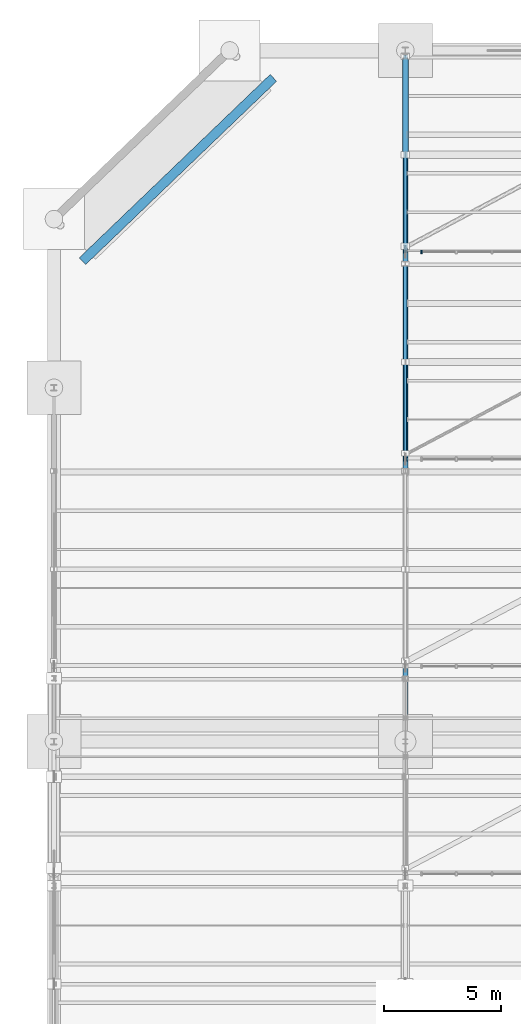
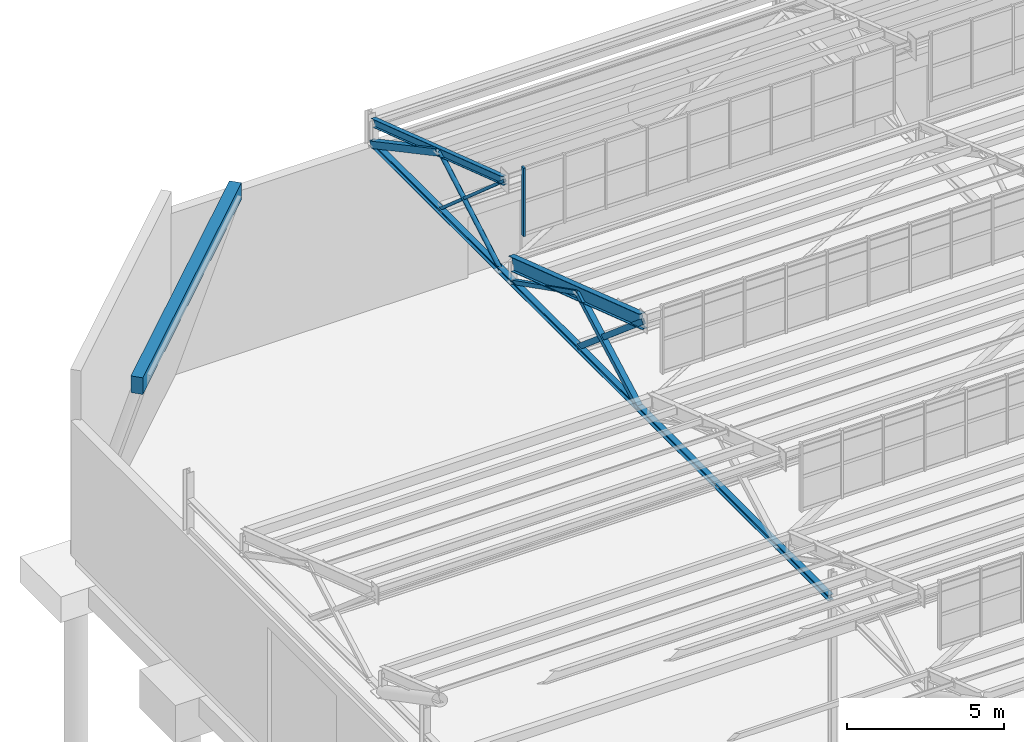
# One storey, part 128 of 285: 7 members, 4 beams, 1 element without a shape of its own.
"""IFC4 building model written with IfcOpenShell, lengths in metres."""

from ifc_helpers import new_model, si_unit, direction, frame, origin, origin_2d, place, context, subcontext, project, spatial, rectangle, hollow_rectangle, hollow_circle, i_section, extrude, material, material_profile, profile_set, type_object, element, aggregate, save


model = new_model("IFC4")

# Units and contexts
model_context = context("Model", 3, precision=1e-05, world=origin(), true_north=direction((0.0, 1.0)))
body_context = subcontext(model_context, "Body", "Model", "MODEL_VIEW")
ifc_project = project(units=[si_unit("LENGTHUNIT", "METRE"), si_unit("AREAUNIT", "SQUARE_METRE"), si_unit("VOLUMEUNIT", "CUBIC_METRE"), si_unit("PLANEANGLEUNIT", "RADIAN"), si_unit("MASSUNIT", "GRAM", prefix="KILO")], contexts=[model_context])

# Site, building, storey
site_placement = place(None, origin())
site = spatial("IfcSite", under=ifc_project, at=site_placement, CompositionType="ELEMENT")
building_placement = place(site_placement, origin())
building = spatial("IfcBuilding", under=site, at=building_placement, Name="Solanera Park Tramway Depot", CompositionType="ELEMENT")
storey_placement = place(building_placement, origin())
storey = spatial("IfcBuildingStorey", under=building, at=storey_placement, Name="L00", CompositionType="ELEMENT", Elevation=0.0)

# Curtain wall, member
ifc_material_1 = material(Name="Bronze-anodised thermally broken aluminium curtain wall", Category="aluminium")
curtain_wall_type = type_object("IfcCurtainWallType", Name="Sawtooth Clerestory Monitor Curtain Wall", PredefinedType="NOTDEFINED", material=ifc_material_1)
curtain_wall_placement = place(storey_placement, origin())
curtain_wall = element("IfcCurtainWall", 1, at=curtain_wall_placement, inside=storey, type_object=curtain_wall_type, Name="L00 Sawtooth Clerestory Monitor Curtain Wall #066", PredefinedType="NOTDEFINED")
ifc_material_2 = material(Name="Bronze-anodised structural aluminium 6063-T6", Category="aluminium")
ifc_material_profile_1 = material_profile(ifc_material_2, rectangle(XDim=0.06494140625, YDim=0.14990234375, at=origin_2d()), Name="Curtain Wall Mullion 65x150")
ifc_profile_set_1 = profile_set([ifc_material_profile_1], Name="Bronze-anodised structural aluminium 6063-T6")
member_type_1 = type_object("IfcMemberType", Name="Curtain Wall Mullion 65x150", PredefinedType="MULLION", material=ifc_profile_set_1)
member_1_placement = place(storey_placement, frame((15.6826171875, 135.39990234375, 7.75), z_axis=(0.0, 0.0, 1.0), x_axis=(1.0, 0.0, 0.0)))
member_1 = element("IfcMember", 2, at=member_1_placement, type_object=member_type_1, Name="CW-L00-066 Mullion 1", PredefinedType="MULLION", context=body_context, shape_type="SweptSolid", body=[
    extrude(rectangle(XDim=0.06494140625, YDim=0.14990234375, at=origin_2d()), origin(), (0.0, 0.0, 1.0), 2.6611328125),
])
aggregate(curtain_wall, [member_1])

# Beam
ifc_material_3 = material(Name="Concrete N40 (C40/50)", Category="concrete")
ifc_material_profile_2 = material_profile(ifc_material_3, rectangle(XDim=0.39990234375, YDim=0.64990234375, at=origin_2d()), Name="SPB 400x650")
ifc_profile_set_2 = profile_set([ifc_material_profile_2], Name="Concrete N40 (C40/50)")
beam_type_1 = type_object("IfcBeamType", Name="Perimeter Spandrel Beam SPB 400x650", PredefinedType="SPANDREL", material=ifc_profile_set_2)
beam_1_placement = place(storey_placement, frame((9.36669921875, 142.82958984375, 7.219970703125), z_axis=(-0.721395958426, -0.692522830791, 0.0), x_axis=(0.692522830791, -0.721395958426, 0.0)))
element("IfcBeam", 3, at=beam_1_placement, inside=storey, type_object=beam_type_1, Name="L00 V1 Carved Corner Eave Spandrel NW", PredefinedType="SPANDREL", context=body_context, shape_type="SweptSolid", body=[
    extrude(rectangle(XDim=0.39990234375, YDim=0.64990234375, at=origin_2d()), origin(), (0.0, 0.0, 1.0), 11.296630859375),
])

# Members
ifc_material_4 = material(Name="Steel AS/NZS 1163 Grade C350L0", Category="steel")
ifc_material_profile_3 = material_profile(ifc_material_4, hollow_circle(Radius=0.084228515625, WallThickness=0.00634765625, at=origin_2d()), Name="168.3x6.4 CHS")
ifc_profile_set_3 = profile_set([ifc_material_profile_3], Name="Steel AS/NZS 1163 Grade C350L0")
member_type_2 = type_object("IfcMemberType", Name="Roof Gantry Compression Strut 168.3x6.4 CHS", PredefinedType="STRUT", material=ifc_profile_set_3)
member_2_placement = place(storey_placement, frame((15.0, 135.64990234375, 6.5), z_axis=(0.0, 0.866897509249, 0.498486417525), x_axis=(-1.0, 0.0, 0.0)))
element("IfcMember", 4, at=member_2_placement, inside=storey, type_object=member_type_2, Name="Sawtooth ROOF TRUSS Strut 168.3x6.4 CHS #0403", PredefinedType="STRUT", context=body_context, shape_type="SweptSolid", body=[
    extrude(hollow_circle(Radius=0.084228515625, WallThickness=0.00634765625, at=origin_2d()), origin(), (0.0, 0.0, 1.0), 4.4990234375),
])
ifc_material_5 = material(Name="Steel AS/NZS 1163 Grade C350L0", Category="steel")
ifc_material_profile_4 = material_profile(ifc_material_5, hollow_rectangle(XDim=0.199951171875, YDim=0.199951171875, WallThickness=0.008056640625, at=origin_2d()), Name="200x200x8.0 SHS")
ifc_profile_set_4 = profile_set([ifc_material_profile_4], Name="Steel AS/NZS 1163 Grade C350L0")
member_type_3 = type_object("IfcMemberType", Name="Roof Gantry Compression Strut 200x200x8.0 SHS", PredefinedType="STRUT", material=ifc_profile_set_4)
member_3_placement = place(storey_placement, frame((15.0, 126.800048828125, 6.5), z_axis=(0.0, 0.877666599941, 0.479271675929), x_axis=(-1.0, 0.0, 0.0)))
element("IfcMember", 5, at=member_3_placement, inside=storey, type_object=member_type_3, Name="Sawtooth ROOF TRUSS Strut 200x200x8.0 SHS #0369", PredefinedType="STRUT", context=body_context, shape_type="SweptSolid", body=[
    extrude(hollow_rectangle(XDim=0.199951171875, YDim=0.199951171875, WallThickness=0.008056640625, at=origin_2d()), origin(), (0.0, 0.0, 1.0), 4.443603515625),
])

# Beams
ifc_material_6 = material(Name="Steel AS/NZS 3679.1 Grade 350", Category="steel")
ifc_material_profile_5 = material_profile(ifc_material_6, i_section(OverallWidth=0.205078125, OverallDepth=0.209716796875, WebThickness=0.00927734375, FlangeThickness=0.01416015625, at=origin_2d()), Name="200UC59.5")
ifc_profile_set_5 = profile_set([ifc_material_profile_5], Name="Steel AS/NZS 3679.1 Grade 350")
beam_type_2 = type_object("IfcBeamType", Name="Steel Beam 200UC59.5", PredefinedType="BEAM", material=ifc_profile_set_5)
beam_2_placement = place(storey_placement, frame((15.0, 114.601806640625, 6.5), z_axis=(0.0, 1.0, 0.0), x_axis=(-1.0, 0.0, 0.0)))
element("IfcBeam", 6, at=beam_2_placement, inside=storey, type_object=beam_type_2, Name="Sawtooth ROOF TRUSS Bottom Chord 200UC59.5 #0372", PredefinedType="BEAM", context=body_context, shape_type="SweptSolid", body=[
    extrude(i_section(OverallWidth=0.205078125, OverallDepth=0.209716796875, WebThickness=0.00927734375, FlangeThickness=0.01416015625, at=origin_2d()), origin(), (0.0, 0.0, 1.0), 29.2705078125),
])
ifc_material_7 = material(Name="Steel AS/NZS 3679.1 Grade 350", Category="steel")
ifc_material_profile_6 = material_profile(ifc_material_7, i_section(OverallWidth=0.166015625, OverallDepth=0.30712890625, WebThickness=0.006591796875, FlangeThickness=0.01171875, at=origin_2d()), Name="310UB46.2")
ifc_profile_set_6 = profile_set([ifc_material_profile_6], Name="Steel AS/NZS 3679.1 Grade 350")
beam_type_3 = type_object("IfcBeamType", Name="Steel Beam 310UB46.2", PredefinedType="BEAM", material=ifc_profile_set_6)
beam_3_placement = place(storey_placement, frame((15.0, 135.39990234375, 10.131103515625), z_axis=(0.0, 0.948330572612, -0.317283981709), x_axis=(-1.0, 0.0, 0.0)))
element("IfcBeam", 7, at=beam_3_placement, inside=storey, type_object=beam_type_3, Name="Sawtooth ROOF TRUSS Top Rafter 310UB46.2 B10-T1", PredefinedType="BEAM", context=body_context, shape_type="SweptSolid", body=[
    extrude(i_section(OverallWidth=0.166015625, OverallDepth=0.30712890625, WebThickness=0.006591796875, FlangeThickness=0.01171875, at=origin_2d()), origin(), (0.0, 0.0, 1.0), 8.804931640625),
])
ifc_material_8 = material(Name="Steel AS/NZS 3679.1 Grade 350", Category="steel")
ifc_material_profile_7 = material_profile(ifc_material_8, i_section(OverallWidth=0.209228515625, OverallDepth=0.532958984375, WebThickness=0.01025390625, FlangeThickness=0.015625, at=origin_2d()), Name="530UB92.4")
ifc_profile_set_7 = profile_set([ifc_material_profile_7], Name="Steel AS/NZS 3679.1 Grade 350")
beam_type_4 = type_object("IfcBeamType", Name="Steel Beam 530UB92.4", PredefinedType="BEAM", material=ifc_profile_set_7)
beam_4_placement = place(storey_placement, frame((15.0, 126.550048828125, 10.018310546875), z_axis=(0.0, 0.948319437663, -0.317317261034), x_axis=(-1.0, 0.0, 0.0)))
element("IfcBeam", 8, at=beam_4_placement, inside=storey, type_object=beam_type_4, Name="Sawtooth ROOF TRUSS Top Rafter 530UB92.4 B09-T1", PredefinedType="BEAM", context=body_context, shape_type="SweptSolid", body=[
    extrude(i_section(OverallWidth=0.209228515625, OverallDepth=0.532958984375, WebThickness=0.01025390625, FlangeThickness=0.015625, at=origin_2d()), origin(), (0.0, 0.0, 1.0), 8.804931640625),
])

# Members
ifc_material_9 = material(Name="Steel AS/NZS 1163 Grade C350L0", Category="steel")
ifc_material_profile_8 = material_profile(ifc_material_9, hollow_rectangle(XDim=0.10009765625, YDim=0.10009765625, WallThickness=0.0048828125, at=origin_2d()), Name="100x100x5.0 SHS")
ifc_profile_set_8 = profile_set([ifc_material_profile_8], Name="Steel AS/NZS 1163 Grade C350L0")
member_type_4 = type_object("IfcMemberType", Name="Truss and Frame Brace 100x100x5.0 SHS", PredefinedType="BRACE", material=ifc_profile_set_8)
member_4_placement = place(storey_placement, frame((15.0, 139.550048828125, 6.5), z_axis=(0.0, -0.752601377508, 0.658476397886), x_axis=(1.0, 0.0, 0.0)))
element("IfcMember", 9, at=member_4_placement, inside=storey, type_object=member_type_4, Name="Sawtooth ROOF TRUSS Web Brace 100x100x5.0 SHS #0401", PredefinedType="BRACE", context=body_context, shape_type="SweptSolid", body=[
    extrude(hollow_rectangle(XDim=0.10009765625, YDim=0.10009765625, WallThickness=0.0048828125, at=origin_2d()), origin(), (0.0, 0.0, 1.0), 5.514404296875),
])
ifc_material_10 = material(Name="Steel AS/NZS 1163 Grade C350L0", Category="steel")
ifc_material_profile_9 = material_profile(ifc_material_10, hollow_rectangle(XDim=0.14990234375, YDim=0.14990234375, WallThickness=0.006103515625, at=origin_2d()), Name="150x150x6.0 SHS")
ifc_profile_set_9 = profile_set([ifc_material_profile_9], Name="Steel AS/NZS 1163 Grade C350L0")
member_type_5 = type_object("IfcMemberType", Name="Truss and Frame Brace 150x150x6.0 SHS", PredefinedType="BRACE", material=ifc_profile_set_9)
member_5_placement = place(storey_placement, frame((15.0, 134.89990234375, 6.5), z_axis=(0.0, -0.891893316909, 0.452245852665), x_axis=(1.0, 0.0, 0.0)))
element("IfcMember", 10, at=member_5_placement, inside=storey, type_object=member_type_5, Name="Sawtooth ROOF TRUSS Diagonal 150x150x6.0 SHS #0368", PredefinedType="BRACE", context=body_context, shape_type="SweptSolid", body=[
    extrude(hollow_rectangle(XDim=0.14990234375, YDim=0.14990234375, WallThickness=0.006103515625, at=origin_2d()), origin(), (0.0, 0.0, 1.0), 4.708984375),
])
ifc_material_11 = material(Name="Steel AS/NZS 1163 Grade C350L0", Category="steel")
ifc_material_profile_10 = material_profile(ifc_material_11, hollow_rectangle(XDim=0.10009765625, YDim=0.199951171875, WallThickness=0.006103515625, at=origin_2d()), Name="200x100x6.0 RHS")
ifc_profile_set_10 = profile_set([ifc_material_profile_10], Name="Steel AS/NZS 1163 Grade C350L0")
member_type_6 = type_object("IfcMemberType", Name="Truss and Frame Brace 200x100x6.0 RHS", PredefinedType="BRACE", material=ifc_profile_set_10)
member_6_placement = place(storey_placement, frame((15.0, 130.699951171875, 6.5), z_axis=(0.0, -0.762764662408, 0.646676170724), x_axis=(1.0, 0.0, 0.0)))
element("IfcMember", 11, at=member_6_placement, inside=storey, type_object=member_type_6, Name="Sawtooth ROOF TRUSS Web Brace 200x100x6.0 RHS #0367", PredefinedType="BRACE", context=body_context, shape_type="SweptSolid", body=[
    extrude(hollow_rectangle(XDim=0.10009765625, YDim=0.199951171875, WallThickness=0.006103515625, at=origin_2d()), origin(), (0.0, 0.0, 1.0), 5.440673828125),
])
ifc_material_12 = material(Name="Steel AS/NZS 1163 Grade C350L0", Category="steel")
ifc_material_profile_11 = material_profile(ifc_material_12, hollow_rectangle(XDim=0.25, YDim=0.25, WallThickness=0.010009765625, at=origin_2d()), Name="250x250x10.0 SHS")
ifc_profile_set_11 = profile_set([ifc_material_profile_11], Name="Steel AS/NZS 1163 Grade C350L0")
member_type_7 = type_object("IfcMemberType", Name="Truss and Frame Brace 250x250x10.0 SHS", PredefinedType="BRACE", material=ifc_profile_set_11)
member_7_placement = place(storey_placement, frame((15.0, 143.75, 6.5), z_axis=(0.0, -0.882117205046, 0.471029974165), x_axis=(1.0, 0.0, 0.0)))
element("IfcMember", 12, at=member_7_placement, inside=storey, type_object=member_type_7, Name="Sawtooth ROOF TRUSS Diagonal 250x250x10.0 SHS #0402", PredefinedType="BRACE", context=body_context, shape_type="SweptSolid", body=[
    extrude(hollow_rectangle(XDim=0.25, YDim=0.25, WallThickness=0.010009765625, at=origin_2d()), origin(), (0.0, 0.0, 1.0), 4.76123046875),
])

save(model, "model.ifc")
